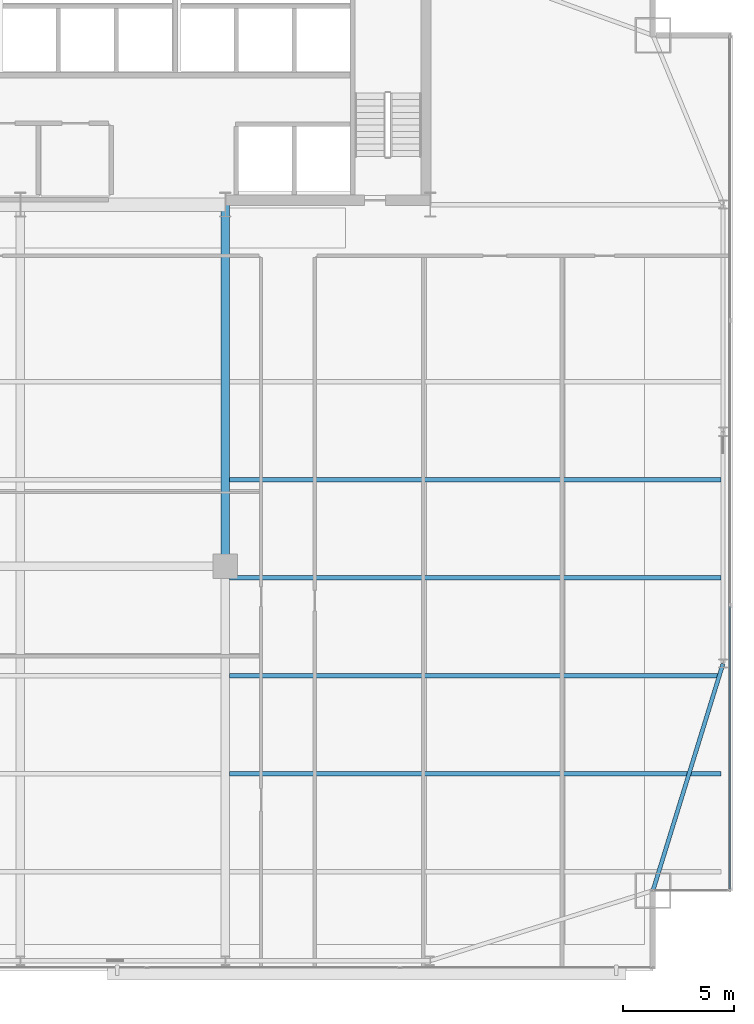
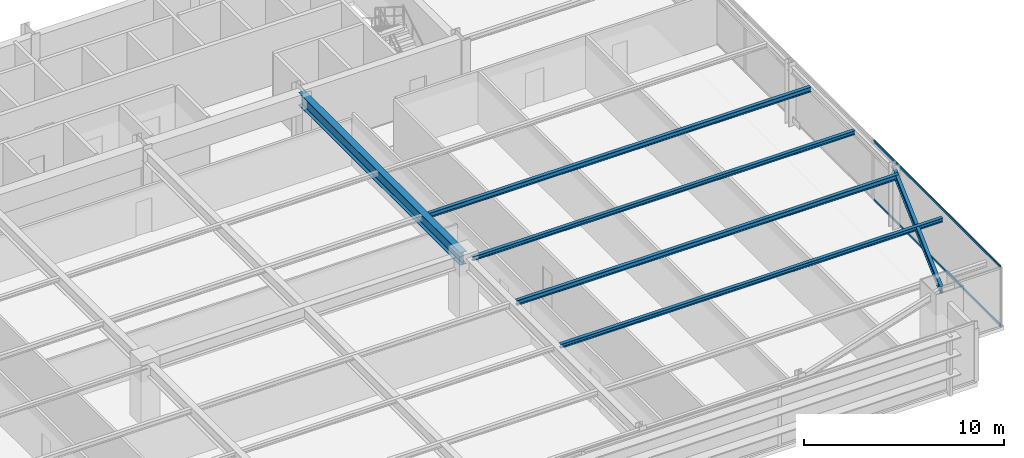
# One storey, part 17 of 32: 6 beams, 2 members, 1 element without a shape of its own.
"""IFC4 building model written with IfcOpenShell, lengths in metres."""

from ifc_helpers import new_model, si_unit, direction, frame, origin, origin_2d, place, context, subcontext, project, spatial, hollow_rectangle, i_section, extrude, source, transform, mapped, material, layer, layer_set, material_profile, profile_set, type_object, type_shapes, element, aggregate, save


model = new_model("IFC4")

# Units and contexts
model_context = context("Model", 3, precision=1e-05, world=origin(), true_north=direction((0.0, 1.0)))
body_context = subcontext(model_context, "Body", "Model", "MODEL_VIEW")
ifc_project = project(units=[si_unit("LENGTHUNIT", "METRE"), si_unit("AREAUNIT", "SQUARE_METRE"), si_unit("VOLUMEUNIT", "CUBIC_METRE"), si_unit("PLANEANGLEUNIT", "RADIAN"), si_unit("MASSUNIT", "GRAM", prefix="KILO")], contexts=[model_context])

# Site, building, storey
site_placement = place(None, origin())
site = spatial("IfcSite", under=ifc_project, at=site_placement, CompositionType="ELEMENT")
building_placement = place(site_placement, origin())
building = spatial("IfcBuilding", under=site, at=building_placement, Name="Varnel Quay Broadcast Tower", CompositionType="ELEMENT")
storey_placement = place(building_placement, frame((0.0, 0.0, 70.5)))
storey = spatial("IfcBuildingStorey", under=building, at=storey_placement, Name="L16", CompositionType="ELEMENT", Elevation=70.5)

# Beams
ifc_material_1 = material(Name="Structural Steel CSA G40.21 350W", Category="steel")
ifc_material_profile_1 = material_profile(ifc_material_1, i_section(OverallWidth=0.180908203125, OverallDepth=0.4169921875, WebThickness=0.010986328125, FlangeThickness=0.018310546875, FilletRadius=0.011962890625, at=origin_2d()), Name="W410X85")
ifc_profile_set_1 = profile_set([ifc_material_profile_1], Name="Structural Steel CSA G40.21 350W")
beam_type_1 = type_object("IfcBeamType", Name="Beam_W410X85", PredefinedType="SPANDREL", material=ifc_profile_set_1)
shared_shape_1 = source(origin(), body_context, "Body", "SweptSolid", [
    extrude(i_section(OverallWidth=0.180908203125, OverallDepth=0.4169921875, WebThickness=0.010986328125, FlangeThickness=0.018310546875, FilletRadius=0.011962890625, at=origin_2d()), origin(), (0.0, 0.0, 1.0), 10.635498046875),
])
type_shapes(beam_type_1, [shared_shape_1])
beam_1_placement = place(storey_placement, frame((62.406005859375, 4.819091796875, 3.44140625), z_axis=(0.295069676324, 0.955475738108, 0.0), x_axis=(-0.955475738108, 0.295069676324, 0.0)))
element("IfcBeam", 1, at=beam_1_placement, inside=storey, type_object=beam_type_1, Name="L16 East Spandrel MC-SE-TC-E1", PredefinedType="SPANDREL", context=body_context, shape_type="MappedRepresentation", body=[
    mapped(shared_shape_1, transform((0.0, 0.0, 0.0), x_axis=(1.0, 0.0, 0.0), y_axis=(0.0, 1.0, 0.0), z_axis=(0.0, 0.0, 1.0), scale=1.0)),
])
ifc_material_profile_2 = material_profile(ifc_material_1, i_section(OverallWidth=0.381103515625, OverallDepth=0.77294921875, WebThickness=0.0166015625, FlangeThickness=0.027587890625, FilletRadius=0.01806640625, at=origin_2d()), Name="W760X257")
ifc_profile_set_2 = profile_set([ifc_material_profile_2], Name="Structural Steel CSA G40.21 350W")
beam_type_2 = type_object("IfcBeamType", Name="Girder_W760X257", PredefinedType="BEAM", material=ifc_profile_set_2)
shared_shape_2 = source(origin(), body_context, "Body", "SweptSolid", [
    extrude(i_section(OverallWidth=0.381103515625, OverallDepth=0.77294921875, WebThickness=0.0166015625, FlangeThickness=0.027587890625, FilletRadius=0.01806640625, at=origin_2d()), origin(), (0.0, 0.0, 1.0), 16.190185546875),
])
type_shapes(beam_type_2, [shared_shape_2])
beam_2_placement = place(storey_placement, frame((43.199951171875, 19.389892578125, 3.263427734375), z_axis=(0.0, 1.0, 0.0), x_axis=(-1.0, 0.0, 0.0)))
element("IfcBeam", 2, at=beam_2_placement, inside=storey, type_object=beam_type_2, Name="L16 Primary Girder IC-02-CC-S4", PredefinedType="BEAM", context=body_context, shape_type="MappedRepresentation", body=[
    mapped(shared_shape_2, transform((0.0, 0.0, 0.0), x_axis=(1.0, 0.0, 0.0), y_axis=(0.0, 1.0, 0.0), z_axis=(0.0, 0.0, 1.0), scale=1.0)),
])
ifc_material_profile_3 = material_profile(ifc_material_1, i_section(OverallWidth=0.202880859375, OverallDepth=0.302978515625, WebThickness=0.007568359375, FlangeThickness=0.01318359375, FilletRadius=0.011962890625, at=origin_2d()), Name="W310X60")
ifc_profile_set_3 = profile_set([ifc_material_profile_3], Name="Structural Steel CSA G40.21 350W")
beam_type_3 = type_object("IfcBeamType", Name="Beam_W310X60", PredefinedType="JOIST", material=ifc_profile_set_3)
shared_shape_3 = source(origin(), body_context, "Body", "SweptSolid", [
    extrude(i_section(OverallWidth=0.202880859375, OverallDepth=0.302978515625, WebThickness=0.007568359375, FlangeThickness=0.01318359375, FilletRadius=0.011962890625, at=origin_2d()), origin(), (0.0, 0.0, 1.0), 22.0791015625),
])
type_shapes(beam_type_3, [shared_shape_3])
for number, where, z_axis, x_axis, name in (
    (3, (43.385498046875, 14.449951171875, 3.49853515625), (1.0, 0.0, 0.0), (0.0, 1.0, 0.0), "L16 East Floor Joist 3"),
    (4, (43.385498046875, 23.25, 3.49853515625), (1.0, 0.0, 0.0), (0.0, 1.0, 0.0), "L16 East Floor Joist 5"),
):
    element("IfcBeam", number, at=place(storey_placement, frame(where, z_axis=z_axis, x_axis=x_axis)), inside=storey, type_object=beam_type_3, Name=name, PredefinedType="JOIST", context=body_context, shape_type="MappedRepresentation", body=[
        mapped(shared_shape_3, transform((0.0, 0.0, 0.0), x_axis=(1.0, 0.0, 0.0), y_axis=(0.0, 1.0, 0.0), z_axis=(0.0, 0.0, 1.0), scale=1.0)),
    ])
ifc_material_profile_4 = material_profile(ifc_material_1, i_section(OverallWidth=0.201904296875, OverallDepth=0.2470703125, WebThickness=0.00732421875, FlangeThickness=0.010986328125, FilletRadius=0.010986328125, at=origin_2d()), Name="W250X49")
ifc_profile_set_4 = profile_set([ifc_material_profile_4], Name="Structural Steel CSA G40.21 350W")
beam_type_4 = type_object("IfcBeamType", Name="Beam_W250X49", PredefinedType="JOIST", material=ifc_profile_set_4)
shared_shape_4 = source(origin(), body_context, "Body", "SweptSolid", [
    extrude(i_section(OverallWidth=0.201904296875, OverallDepth=0.2470703125, WebThickness=0.00732421875, FlangeThickness=0.010986328125, FilletRadius=0.010986328125, at=origin_2d()), origin(), (0.0, 0.0, 1.0), 22.0791015625),
])
type_shapes(beam_type_4, [shared_shape_4])
for number, where, z_axis, x_axis, name in (
    (5, (43.385498046875, 10.050048828125, 3.526611328125), (1.0, 0.0, 0.0), (0.0, 1.0, 0.0), "L16 East Floor Joist 2"),
    (6, (43.385498046875, 18.85009765625, 3.526611328125), (1.0, 0.0, 0.0), (0.0, 1.0, 0.0), "L16 East Floor Joist 4"),
):
    element("IfcBeam", number, at=place(storey_placement, frame(where, z_axis=z_axis, x_axis=x_axis)), inside=storey, type_object=beam_type_4, Name=name, PredefinedType="JOIST", context=body_context, shape_type="MappedRepresentation", body=[
        mapped(shared_shape_4, transform((0.0, 0.0, 0.0), x_axis=(1.0, 0.0, 0.0), y_axis=(0.0, 1.0, 0.0), z_axis=(0.0, 0.0, 1.0), scale=1.0)),
    ])

# Curtain wall, members
ifc_material_2 = material(Name="Anodised Bronze Aluminium 6063-T6", Category="aluminium")
ifc_layer = layer(ifc_material_2, 0.18994140625, Name="Anodised Bronze Aluminium 6063-T6")
ifc_layer_set = layer_set([ifc_layer], Name="Anodised Bronze Aluminium 6063-T6")
curtain_wall_type = type_object("IfcCurtainWallType", Name="CW_LowerTower", PredefinedType="NOTDEFINED", material=ifc_layer_set)
curtain_wall_placement = place(storey_placement, origin())
curtain_wall = element("IfcCurtainWall", 7, at=curtain_wall_placement, inside=storey, type_object=curtain_wall_type, Name="L16 East Unitised Curtain Wall", PredefinedType="NOTDEFINED")
ifc_material_profile_5 = material_profile(ifc_material_2, hollow_rectangle(XDim=0.06005859375, YDim=0.14501953125, WallThickness=0.00341796875, at=origin_2d()), Name="ALU60X145X3.5")
ifc_profile_set_5 = profile_set([ifc_material_profile_5], Name="Anodised Bronze Aluminium 6063-T6")
member_type = type_object("IfcMemberType", Name="Tran_CWS-02", PredefinedType="USERDEFINED", material=ifc_profile_set_5)
shared_shape_5 = source(origin(), body_context, "Body", "SweptSolid", [
    extrude(hollow_rectangle(XDim=0.06005859375, YDim=0.14501953125, WallThickness=0.00341796875, at=origin_2d()), origin(), (0.0, 0.0, 1.0), 12.69482421875),
])
type_shapes(member_type, [shared_shape_5])
member_1_placement = place(storey_placement, frame((65.85009765625, 4.8701171875, 0.030029296875), z_axis=(0.0, 1.0, 0.0), x_axis=(-1.0, 0.0, 0.0)))
member_1 = element("IfcMember", 8, at=member_1_placement, type_object=member_type, Name="CWS-02 transom 1.1", ObjectType="TRANSOM", PredefinedType="USERDEFINED", context=body_context, shape_type="MappedRepresentation", body=[
    mapped(shared_shape_5, transform((0.0, 0.0, 0.0), x_axis=(1.0, 0.0, 0.0), y_axis=(0.0, 1.0, 0.0), z_axis=(0.0, 0.0, 1.0), scale=1.0)),
])
member_2_placement = place(storey_placement, frame((65.85009765625, 4.8701171875, 3.6201171875), z_axis=(0.0, 1.0, 0.0), x_axis=(-1.0, 0.0, 0.0)))
member_2 = element("IfcMember", 9, at=member_2_placement, type_object=member_type, Name="CWS-02 transom 1.2", ObjectType="TRANSOM", PredefinedType="USERDEFINED", context=body_context, shape_type="MappedRepresentation", body=[
    mapped(shared_shape_5, transform((0.0, 0.0, 0.0), x_axis=(1.0, 0.0, 0.0), y_axis=(0.0, 1.0, 0.0), z_axis=(0.0, 0.0, 1.0), scale=1.0)),
])
aggregate(curtain_wall, [member_1, member_2])

save(model, "model.ifc")
